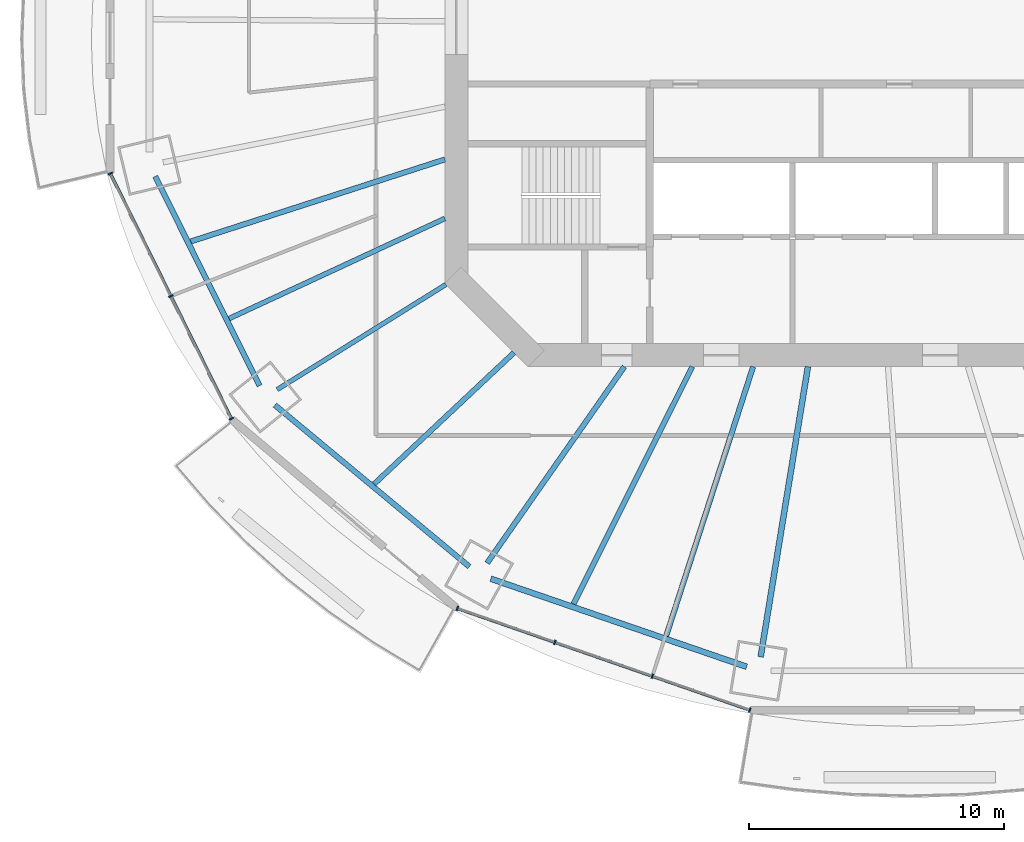
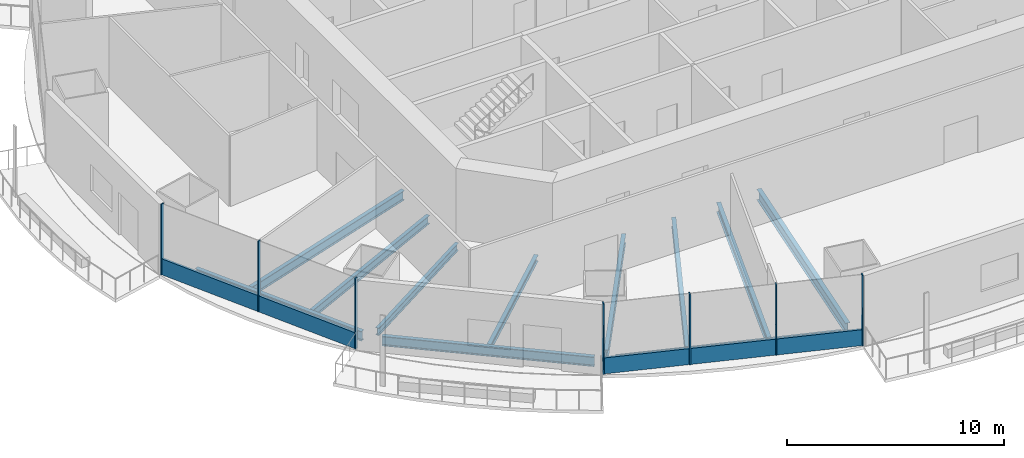
# One storey, part 2 of 20: 11 beams, 9 members, 2 elements without a shape of their own.
"""IFC4 building model written with IfcOpenShell, lengths in metres."""

from ifc_helpers import new_model, si_unit, direction, frame, origin, origin_2d, place, context, subcontext, project, spatial, rectangle, i_section, extrude, material, material_profile, profile_set, type_object, element, aggregate, save


model = new_model("IFC4")

# Units and contexts
model_context = context("Model", 3, precision=1e-05, world=origin(), true_north=direction((0.0, 1.0)))
body_context = subcontext(model_context, "Body", "Model", "MODEL_VIEW")
ifc_project = project(units=[si_unit("LENGTHUNIT", "METRE"), si_unit("AREAUNIT", "SQUARE_METRE"), si_unit("VOLUMEUNIT", "CUBIC_METRE"), si_unit("PLANEANGLEUNIT", "RADIAN"), si_unit("MASSUNIT", "GRAM", prefix="KILO")], contexts=[model_context])

# Site, building, storey
site_placement = place(None, origin())
site = spatial("IfcSite", under=ifc_project, at=site_placement, CompositionType="ELEMENT")
building_placement = place(site_placement, origin())
building = spatial("IfcBuilding", under=site, at=building_placement, Name="Marenthal Gate Tower", CompositionType="ELEMENT")
storey_placement = place(building_placement, frame((0.0, 0.0, 185.949951171875)))
storey = spatial("IfcBuildingStorey", under=building, at=storey_placement, Name="L40", CompositionType="ELEMENT", Elevation=185.949951171875)

# Curtain wall, members
ifc_material_1 = material(Name="Aluminium and glass", Category="aluminium")
curtain_wall_type = type_object("IfcCurtainWallType", Name="Curtain wall typical mid", PredefinedType="NOTDEFINED", material=ifc_material_1)
curtain_wall_1_placement = place(storey_placement, origin())
curtain_wall_1 = element("IfcCurtainWall", 1, at=curtain_wall_1_placement, inside=storey, type_object=curtain_wall_type, Name="Curtain wall L40 bay 9", PredefinedType="NOTDEFINED")
ifc_material_2 = material(Name="Aluminium", Category="aluminium")
ifc_material_profile_1 = material_profile(ifc_material_2, rectangle(XDim=0.179931640625, YDim=0.06005859375, at=origin_2d()), Name="60x180 aluminium mullion")
ifc_profile_set_1 = profile_set([ifc_material_profile_1], Name="Aluminium")
member_type_1 = type_object("IfcMemberType", Name="Mullion 60x180 typical mid", PredefinedType="MULLION", material=ifc_profile_set_1)
member_1_placement = place(storey_placement, frame((-29.58642578125, -5.8671875, 0.0), z_axis=(0.0, 0.0, 1.0), x_axis=(0.896680826174, 0.442677643406, 0.0)))
member_1 = element("IfcMember", 2, at=member_1_placement, type_object=member_type_1, Name="Mullion L40 bay 9.1", PredefinedType="MULLION", context=body_context, shape_type="SweptSolid", body=[
    extrude(rectangle(XDim=0.179931640625, YDim=0.06005859375, at=origin_2d()), origin(), (0.0, 0.0, 1.0), 3.969970703125),
])
member_2_placement = place(storey_placement, frame((-27.209716796875, -10.681640625, 0.0), z_axis=(0.0, 0.0, 1.0), x_axis=(0.896680826174, 0.442677643406, 0.0)))
member_2 = element("IfcMember", 3, at=member_2_placement, type_object=member_type_1, Name="Mullion L40 bay 9.2", PredefinedType="MULLION", context=body_context, shape_type="SweptSolid", body=[
    extrude(rectangle(XDim=0.179931640625, YDim=0.06005859375, at=origin_2d()), origin(), (0.0, 0.0, 1.0), 3.969970703125),
])
member_3_placement = place(storey_placement, frame((-24.832763671875, -15.496337890625, 0.0), z_axis=(0.0, 0.0, 1.0), x_axis=(0.896680826174, 0.442677643406, 0.0)))
member_3 = element("IfcMember", 4, at=member_3_placement, type_object=member_type_1, Name="Mullion L40 bay 9.3", PredefinedType="MULLION", context=body_context, shape_type="SweptSolid", body=[
    extrude(rectangle(XDim=0.179931640625, YDim=0.06005859375, at=origin_2d()), origin(), (0.0, 0.0, 1.0), 3.969970703125),
])

curtain_wall_2_placement = place(storey_placement, origin())
curtain_wall_2 = element("IfcCurtainWall", 5, at=curtain_wall_2_placement, inside=storey, type_object=curtain_wall_type, Name="Curtain wall L40 bay 11", PredefinedType="NOTDEFINED")
member_4_placement = place(storey_placement, frame((-15.958251953125, -22.94384765625, 0.0), z_axis=(0.0, 0.0, 1.0), x_axis=(0.328273001535, 0.944582890203, 0.0)))
member_4 = element("IfcMember", 6, at=member_4_placement, type_object=member_type_1, Name="Mullion L40 bay 11.1", PredefinedType="MULLION", context=body_context, shape_type="SweptSolid", body=[
    extrude(rectangle(XDim=0.179931640625, YDim=0.06005859375, at=origin_2d()), origin(), (0.0, 0.0, 1.0), 3.969970703125),
])
member_5_placement = place(storey_placement, frame((-12.130126953125, -24.2744140625, 0.0), z_axis=(0.0, 0.0, 1.0), x_axis=(0.328273001535, 0.944582890203, 0.0)))
member_5 = element("IfcMember", 7, at=member_5_placement, type_object=member_type_1, Name="Mullion L40 bay 11.2", PredefinedType="MULLION", context=body_context, shape_type="SweptSolid", body=[
    extrude(rectangle(XDim=0.179931640625, YDim=0.06005859375, at=origin_2d()), origin(), (0.0, 0.0, 1.0), 3.969970703125),
])
member_6_placement = place(storey_placement, frame((-8.30224609375, -25.604736328125, 0.0), z_axis=(0.0, 0.0, 1.0), x_axis=(0.328273001535, 0.944582890203, 0.0)))
member_6 = element("IfcMember", 8, at=member_6_placement, type_object=member_type_1, Name="Mullion L40 bay 11.3", PredefinedType="MULLION", context=body_context, shape_type="SweptSolid", body=[
    extrude(rectangle(XDim=0.179931640625, YDim=0.06005859375, at=origin_2d()), origin(), (0.0, 0.0, 1.0), 3.969970703125),
])
member_7_placement = place(storey_placement, frame((-4.47412109375, -26.93505859375, 0.0), z_axis=(0.0, 0.0, 1.0), x_axis=(0.328273001535, 0.944582890203, 0.0)))
member_7 = element("IfcMember", 9, at=member_7_placement, type_object=member_type_1, Name="Mullion L40 bay 11.4", PredefinedType="MULLION", context=body_context, shape_type="SweptSolid", body=[
    extrude(rectangle(XDim=0.179931640625, YDim=0.06005859375, at=origin_2d()), origin(), (0.0, 0.0, 1.0), 3.969970703125),
])

# Member
ifc_material_3 = material(Name="Aluminium", Category="aluminium")
ifc_material_profile_2 = material_profile(ifc_material_3, rectangle(XDim=0.1201171875, YDim=0.89990234375, at=origin_2d()), Name="120x900 aluminium transom")
ifc_profile_set_2 = profile_set([ifc_material_profile_2], Name="Aluminium")
member_type_2 = type_object("IfcMemberType", Name="Transom 120x900 typical mid", PredefinedType="USERDEFINED", material=ifc_profile_set_2)
member_8_placement = place(storey_placement, frame((-29.5732421875, -5.89404296875, 0.449951171875), z_axis=(0.442681148618, -0.896679095696, 0.0), x_axis=(0.896679095696, 0.442681148618, 0.0)))
member_8 = element("IfcMember", 10, at=member_8_placement, type_object=member_type_2, Name="Transom L40 bay 9", ObjectType="TRANSOM", PredefinedType="USERDEFINED", context=body_context, shape_type="SweptSolid", body=[
    extrude(rectangle(XDim=0.1201171875, YDim=0.89990234375, at=origin_2d()), origin(), (0.0, 0.0, 1.0), 10.6787109375),
])

aggregate(curtain_wall_1, [member_1, member_2, member_3, member_8])

member_9_placement = place(storey_placement, frame((-15.929931640625, -22.953857421875, 0.449951171875), z_axis=(0.944582522585, -0.328274059326, 0.0), x_axis=(0.328274059326, 0.944582522585, 0.0)))
member_9 = element("IfcMember", 11, at=member_9_placement, type_object=member_type_2, Name="Transom L40 bay 11", ObjectType="TRANSOM", PredefinedType="USERDEFINED", context=body_context, shape_type="SweptSolid", body=[
    extrude(rectangle(XDim=0.1201171875, YDim=0.89990234375, at=origin_2d()), origin(), (0.0, 0.0, 1.0), 12.097900390625),
])

aggregate(curtain_wall_2, [member_4, member_5, member_6, member_7, member_9])

# Beams
ifc_material_4 = material(Name="Steel S355", Category="steel")
ifc_material_profile_3 = material_profile(ifc_material_4, i_section(OverallWidth=0.205078125, OverallDepth=0.35302734375, WebThickness=0.009521484375, FlangeThickness=0.016845703125, FilletRadius=0.014892578125, at=origin_2d()), Name="W360X79")
ifc_profile_set_3 = profile_set([ifc_material_profile_3], Name="Steel S355")
beam_type_1 = type_object("IfcBeamType", Name="W360X79 beam", PredefinedType="BEAM", material=ifc_profile_set_3)
beam_1_placement = place(storey_placement, frame((-19.2294921875, -18.059814453125, -0.3564453125), z_axis=(0.728917630453, 0.684601408131, 0.0), x_axis=(-0.684601408131, 0.728917630453, 0.0)))
element("IfcBeam", 12, at=beam_1_placement, inside=storey, type_object=beam_type_1, Name="BM-L40-31", PredefinedType="BEAM", context=body_context, shape_type="SweptSolid", body=[
    extrude(i_section(OverallWidth=0.205078125, OverallDepth=0.35302734375, WebThickness=0.009521484375, FlangeThickness=0.016845703125, FilletRadius=0.014892578125, at=origin_2d()), origin(), (0.0, 0.0, 1.0), 7.536376953125),
])
ifc_material_5 = material(Name="Steel S355", Category="steel")
ifc_material_profile_4 = material_profile(ifc_material_5, i_section(OverallWidth=0.180908203125, OverallDepth=0.4169921875, WebThickness=0.010986328125, FlangeThickness=0.018310546875, FilletRadius=0.01025390625, at=origin_2d()), Name="W410X85")
ifc_profile_set_4 = profile_set([ifc_material_profile_4], Name="Steel S355")
beam_type_2 = type_object("IfcBeamType", Name="W410X85 beam", PredefinedType="BEAM", material=ifc_profile_set_4)
beam_2_placement = place(storey_placement, frame((-23.032470703125, -14.3505859375, -0.388427734375), z_axis=(0.848728892629, 0.528828201609, 0.0), x_axis=(-0.528828201609, 0.848728892629, 0.0)))
element("IfcBeam", 13, at=beam_2_placement, inside=storey, type_object=beam_type_2, Name="BM-L40-10", PredefinedType="BEAM", context=body_context, shape_type="SweptSolid", body=[
    extrude(i_section(OverallWidth=0.180908203125, OverallDepth=0.4169921875, WebThickness=0.010986328125, FlangeThickness=0.018310546875, FilletRadius=0.01025390625, at=origin_2d()), origin(), (0.0, 0.0, 1.0), 7.80126953125),
])
ifc_material_6 = material(Name="Steel S355", Category="steel")
ifc_material_profile_5 = material_profile(ifc_material_6, i_section(OverallWidth=0.193115234375, OverallDepth=0.467041015625, WebThickness=0.011474609375, FlangeThickness=0.01904296875, FilletRadius=0.010009765625, at=origin_2d()), Name="W460X97")
ifc_profile_set_5 = profile_set([ifc_material_profile_5], Name="Steel S355")
beam_type_3 = type_object("IfcBeamType", Name="W460X97 beam", PredefinedType="BEAM", material=ifc_profile_set_5)
beam_3_placement = place(storey_placement, frame((-24.92431640625, -11.56298828125, -0.413330078125), z_axis=(0.907136908367, 0.420835632377, 0.0), x_axis=(-0.420835632377, 0.907136908367, 0.0)))
element("IfcBeam", 14, at=beam_3_placement, inside=storey, type_object=beam_type_3, Name="BM-L40-30", PredefinedType="BEAM", context=body_context, shape_type="SweptSolid", body=[
    extrude(i_section(OverallWidth=0.193115234375, OverallDepth=0.467041015625, WebThickness=0.011474609375, FlangeThickness=0.01904296875, FilletRadius=0.010009765625, at=origin_2d()), origin(), (0.0, 0.0, 1.0), 9.341796875),
])
ifc_material_7 = material(Name="Steel S355", Category="steel")
ifc_material_profile_6 = material_profile(ifc_material_7, i_section(OverallWidth=0.2099609375, OverallDepth=0.535888671875, WebThickness=0.010986328125, FlangeThickness=0.017333984375, FilletRadius=0.0126953125, at=origin_2d()), Name="W530X101")
ifc_profile_set_6 = profile_set([ifc_material_profile_6], Name="Steel S355")
beam_type_4 = type_object("IfcBeamType", Name="W530X101 beam", PredefinedType="BEAM", material=ifc_profile_set_6)
beam_4_placement = place(storey_placement, frame((-14.79052734375, -21.164794921875, -0.447998046875), z_axis=(0.572818036302, 0.819682558853, 0.0), x_axis=(-0.819682558853, 0.572818036302, 0.0)))
element("IfcBeam", 15, at=beam_4_placement, inside=storey, type_object=beam_type_4, Name="BM-L40-11", PredefinedType="BEAM", context=body_context, shape_type="SweptSolid", body=[
    extrude(i_section(OverallWidth=0.2099609375, OverallDepth=0.535888671875, WebThickness=0.010986328125, FlangeThickness=0.017333984375, FilletRadius=0.0126953125, at=origin_2d()), origin(), (0.0, 0.0, 1.0), 9.412109375),
])
beam_5_placement = place(storey_placement, frame((-26.433349609375, -8.536865234375, -0.447998046875), z_axis=(0.951606355929, 0.307319611083, 0.0), x_axis=(-0.307319611083, 0.951606355929, 0.0)))
element("IfcBeam", 16, at=beam_5_placement, inside=storey, type_object=beam_type_4, Name="BM-L40-29", PredefinedType="BEAM", context=body_context, shape_type="SweptSolid", body=[
    extrude(i_section(OverallWidth=0.2099609375, OverallDepth=0.535888671875, WebThickness=0.010986328125, FlangeThickness=0.017333984375, FilletRadius=0.0126953125, at=origin_2d()), origin(), (0.0, 0.0, 1.0), 10.4912109375),
])
beam_6_placement = place(storey_placement, frame((-11.39990234375, -22.775390625, -0.447998046875), z_axis=(0.447578775757, 0.894244507667, 0.0), x_axis=(-0.894244507667, 0.447578775757, 0.0)))
element("IfcBeam", 17, at=beam_6_placement, inside=storey, type_object=beam_type_4, Name="BM-L40-32", PredefinedType="BEAM", context=body_context, shape_type="SweptSolid", body=[
    extrude(i_section(OverallWidth=0.2099609375, OverallDepth=0.535888671875, WebThickness=0.010986328125, FlangeThickness=0.017333984375, FilletRadius=0.0126953125, at=origin_2d()), origin(), (0.0, 0.0, 1.0), 10.42822265625),
])
beam_7_placement = place(storey_placement, frame((-7.759521484375, -24.028076171875, -0.447998046875), z_axis=(0.307305650276, 0.951610864434, 0.0), x_axis=(-0.951610864434, 0.307305650276, 0.0)))
element("IfcBeam", 18, at=beam_7_placement, inside=storey, type_object=beam_type_4, Name="BM-L40-33", PredefinedType="BEAM", context=body_context, shape_type="SweptSolid", body=[
    extrude(i_section(OverallWidth=0.2099609375, OverallDepth=0.535888671875, WebThickness=0.010986328125, FlangeThickness=0.017333984375, FilletRadius=0.0126953125, at=origin_2d()), origin(), (0.0, 0.0, 1.0), 11.115966796875),
])
ifc_material_8 = material(Name="Steel S355", Category="steel")
ifc_material_profile_7 = material_profile(ifc_material_8, i_section(OverallWidth=0.2119140625, OverallDepth=0.5439453125, WebThickness=0.01318359375, FlangeThickness=0.021240234375, FilletRadius=0.0126953125, at=origin_2d()), Name="W530X123")
ifc_profile_set_7 = profile_set([ifc_material_profile_7], Name="Steel S355")
beam_type_5 = type_object("IfcBeamType", Name="W530X123 beam", PredefinedType="BEAM", material=ifc_profile_set_7)
beam_8_placement = place(storey_placement, frame((-27.82666015625, -5.980224609375, -0.451904296875), z_axis=(0.446245776871, -0.894910446148, 0.0), x_axis=(0.894910446148, 0.446245776871, 0.0)))
element("IfcBeam", 19, at=beam_8_placement, inside=storey, type_object=beam_type_5, Name="BM-L40-49", PredefinedType="BEAM", context=body_context, shape_type="SweptSolid", body=[
    extrude(i_section(OverallWidth=0.2119140625, OverallDepth=0.5439453125, WebThickness=0.01318359375, FlangeThickness=0.021240234375, FilletRadius=0.0126953125, at=origin_2d()), origin(), (0.0, 0.0, 1.0), 9.184814453125),
])
beam_9_placement = place(storey_placement, frame((-23.125, -14.961669921875, -0.451904296875), z_axis=(0.769236112246, -0.638964634089, 0.0), x_axis=(0.638964634089, 0.769236112246, 0.0)))
element("IfcBeam", 20, at=beam_9_placement, inside=storey, type_object=beam_type_5, Name="BM-L40-50", PredefinedType="BEAM", context=body_context, shape_type="SweptSolid", body=[
    extrude(i_section(OverallWidth=0.2119140625, OverallDepth=0.5439453125, WebThickness=0.01318359375, FlangeThickness=0.021240234375, FilletRadius=0.0126953125, at=origin_2d()), origin(), (0.0, 0.0, 1.0), 9.928955078125),
])
ifc_material_9 = material(Name="Steel S355", Category="steel")
ifc_material_profile_8 = material_profile(ifc_material_9, i_section(OverallWidth=0.22900390625, OverallDepth=0.612060546875, WebThickness=0.011962890625, FlangeThickness=0.01953125, FilletRadius=0.0126953125, at=origin_2d()), Name="W610X125")
ifc_profile_set_8 = profile_set([ifc_material_profile_8], Name="Steel S355")
beam_type_6 = type_object("IfcBeamType", Name="W610X125 beam", PredefinedType="BEAM", material=ifc_profile_set_8)
beam_10_placement = place(storey_placement, frame((-4.04931640625, -24.852294921875, -0.48583984375), z_axis=(0.160820189307, 0.986983721604, 0.0), x_axis=(-0.986983721604, 0.160820189307, 0.0)))
element("IfcBeam", 21, at=beam_10_placement, inside=storey, type_object=beam_type_6, Name="BM-L40-12", PredefinedType="BEAM", context=body_context, shape_type="SweptSolid", body=[
    extrude(i_section(OverallWidth=0.22900390625, OverallDepth=0.612060546875, WebThickness=0.011962890625, FlangeThickness=0.01953125, FilletRadius=0.0126953125, at=origin_2d()), origin(), (0.0, 0.0, 1.0), 11.552734375),
])
beam_11_placement = place(storey_placement, frame((-14.645263671875, -21.77978515625, -0.48583984375), z_axis=(0.945594274162, -0.325348226785, 0.0), x_axis=(0.325348226785, 0.945594274162, 0.0)))
element("IfcBeam", 22, at=beam_11_placement, inside=storey, type_object=beam_type_6, Name="BM-L40-51", PredefinedType="BEAM", context=body_context, shape_type="SweptSolid", body=[
    extrude(i_section(OverallWidth=0.22900390625, OverallDepth=0.612060546875, WebThickness=0.011962890625, FlangeThickness=0.01953125, FilletRadius=0.0126953125, at=origin_2d()), origin(), (0.0, 0.0, 1.0), 10.623291015625),
])

save(model, "model.ifc")
